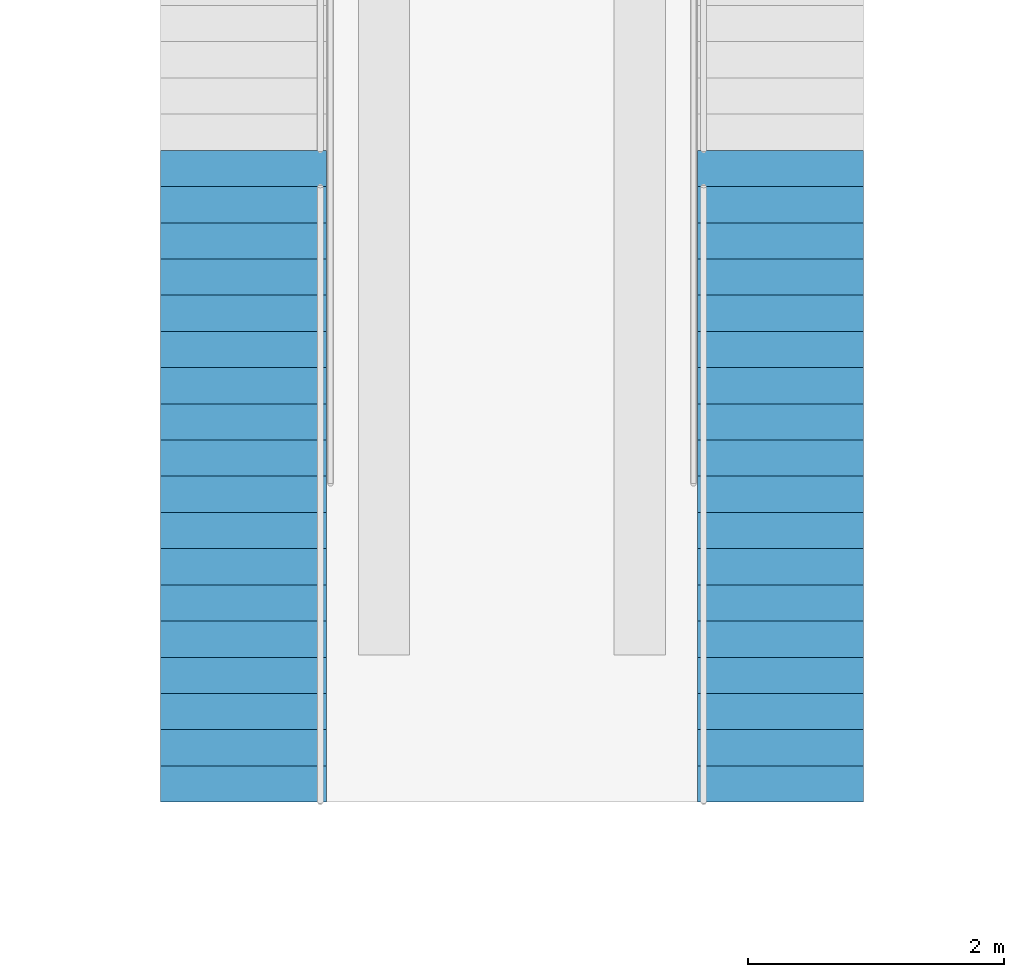
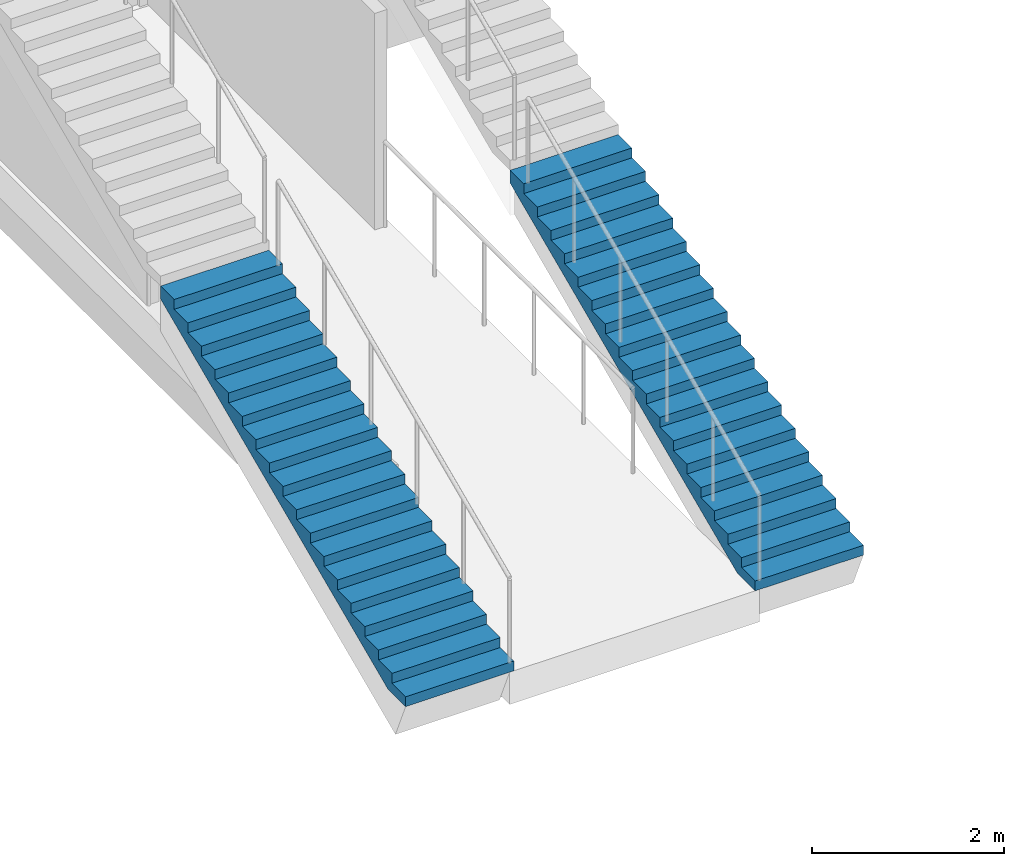
# One storey, part 122 of 175: 2 stair flights, 2 elements without a shape of their own.
"""IFC4 building model written with IfcOpenShell, lengths in metres."""

from ifc_helpers import new_model, si_unit, direction, frame, origin, place, context, subcontext, project, spatial, faceted_brep, material, type_object, element, aggregate, save


model = new_model("IFC4")

# Units and contexts
model_context = context("Model", 3, precision=1e-05, world=origin(), true_north=direction((0.0, 1.0)))
body_context = subcontext(model_context, "Body", "Model", "MODEL_VIEW")
ifc_project = project(units=[si_unit("LENGTHUNIT", "METRE"), si_unit("AREAUNIT", "SQUARE_METRE"), si_unit("VOLUMEUNIT", "CUBIC_METRE"), si_unit("PLANEANGLEUNIT", "RADIAN"), si_unit("MASSUNIT", "GRAM", prefix="KILO")], contexts=[model_context])

# Site, building, storey
site_placement = place(None, origin())
site = spatial("IfcSite", under=ifc_project, at=site_placement, CompositionType="ELEMENT")
building_placement = place(site_placement, origin())
building = spatial("IfcBuilding", under=site, at=building_placement, Name="Ogive Plaza Stadium", CompositionType="ELEMENT")
storey_placement = place(building_placement, origin())
storey = spatial("IfcBuildingStorey", under=building, at=storey_placement, Name="L00", CompositionType="ELEMENT", Elevation=0.0)

# Stair, stair flight
ifc_material_1 = material(Name="Concrete C40/50", Category="concrete")
stair_type = type_object("IfcStairType", Name="Aisle stair", PredefinedType="STRAIGHT_RUN_STAIR", material=ifc_material_1)
stair_1_placement = place(storey_placement, origin())
stair_1 = element("IfcStair", 1, at=stair_1_placement, inside=storey, type_object=stair_type, Name="Aisle stair SA33L", PredefinedType="STRAIGHT_RUN_STAIR")
ifc_material_2 = material(Name="Concrete C40/50", Category="concrete")
stair_flight_type = type_object("IfcStairFlightType", Name="Aisle stair flight", PredefinedType="STRAIGHT", material=ifc_material_2)
stair_flight_1_placement = place(storey_placement, frame((-11.5, 67.64990234375, 0.0), z_axis=(0.0, 0.0, 1.0), x_axis=(0.0, 1.0, 0.0)))
stair_flight_1 = element("IfcStairFlight", 2, at=stair_flight_1_placement, type_object=stair_flight_type, Name="SA33L flight 1", NumberOfRisers=18, NumberOfTreads=17, PredefinedType="STRAIGHT", RiserHeight=0.125, TreadLength=0.283333333, context=body_context, shape_type="Brep", body=[
    faceted_brep([(0.371337890625, -0.64990234375, 0.0), (5.10009765625, -0.64990234375, 2.086181640625), (5.10009765625, -0.64990234375, 2.25), (4.816650390625, -0.64990234375, 2.25), (4.816650390625, -0.64990234375, 2.125), (4.533447265625, -0.64990234375, 2.125), (4.533447265625, -0.64990234375, 2.0), (4.25, -0.64990234375, 2.0), (4.25, -0.64990234375, 1.875), (3.966552734375, -0.64990234375, 1.875), (3.966552734375, -0.64990234375, 1.75), (3.683349609375, -0.64990234375, 1.75), (3.683349609375, -0.64990234375, 1.625), (3.39990234375, -0.64990234375, 1.625), (3.39990234375, -0.64990234375, 1.5), (3.11669921875, -0.64990234375, 1.5), (3.11669921875, -0.64990234375, 1.375), (2.833251953125, -0.64990234375, 1.375), (2.833251953125, -0.64990234375, 1.25), (2.550048828125, -0.64990234375, 1.25), (2.550048828125, -0.64990234375, 1.125), (2.2666015625, -0.64990234375, 1.125), (2.2666015625, -0.64990234375, 1.0), (1.9833984375, -0.64990234375, 1.0), (1.9833984375, -0.64990234375, 0.875), (1.699951171875, -0.64990234375, 0.875), (1.699951171875, -0.64990234375, 0.75), (1.416748046875, -0.64990234375, 0.75), (1.416748046875, -0.64990234375, 0.625), (1.13330078125, -0.64990234375, 0.625), (1.13330078125, -0.64990234375, 0.5), (0.85009765625, -0.64990234375, 0.5), (0.85009765625, -0.64990234375, 0.375), (0.566650390625, -0.64990234375, 0.375), (0.566650390625, -0.64990234375, 0.25), (0.283447265625, -0.64990234375, 0.25), (0.283447265625, -0.64990234375, 0.125), (0.0, -0.64990234375, 0.125), (0.0, -0.64990234375, 0.0), (0.0, 0.64990234375, 0.0), (0.0, 0.64990234375, 0.125), (0.283447265625, 0.64990234375, 0.125), (0.283447265625, 0.64990234375, 0.25), (0.566650390625, 0.64990234375, 0.25), (0.566650390625, 0.64990234375, 0.375), (0.85009765625, 0.64990234375, 0.375), (0.85009765625, 0.64990234375, 0.5), (1.13330078125, 0.64990234375, 0.5), (1.13330078125, 0.64990234375, 0.625), (1.416748046875, 0.64990234375, 0.625), (1.416748046875, 0.64990234375, 0.75), (1.699951171875, 0.64990234375, 0.75), (1.699951171875, 0.64990234375, 0.875), (1.9833984375, 0.64990234375, 0.875), (1.9833984375, 0.64990234375, 1.0), (2.2666015625, 0.64990234375, 1.0), (2.2666015625, 0.64990234375, 1.125), (2.550048828125, 0.64990234375, 1.125), (2.550048828125, 0.64990234375, 1.25), (2.833251953125, 0.64990234375, 1.25), (2.833251953125, 0.64990234375, 1.375), (3.11669921875, 0.64990234375, 1.375), (3.11669921875, 0.64990234375, 1.5), (3.39990234375, 0.64990234375, 1.5), (3.39990234375, 0.64990234375, 1.625), (3.683349609375, 0.64990234375, 1.625), (3.683349609375, 0.64990234375, 1.75), (3.966552734375, 0.64990234375, 1.75), (3.966552734375, 0.64990234375, 1.875), (4.25, 0.64990234375, 1.875), (4.25, 0.64990234375, 2.0), (4.533447265625, 0.64990234375, 2.0), (4.533447265625, 0.64990234375, 2.125), (4.816650390625, 0.64990234375, 2.125), (4.816650390625, 0.64990234375, 2.25), (5.10009765625, 0.64990234375, 2.25), (5.10009765625, 0.64990234375, 2.086181640625), (0.371337890625, 0.64990234375, 0.0), (0.371337890625, -0.324951171875, 0.0), (5.10009765625, -0.324951171875, 2.086181640625), (0.371337890625, 0.0, 0.0), (5.10009765625, 0.0, 2.086181640625), (0.371337890625, 0.324951171875, 0.0), (5.10009765625, 0.324951171875, 2.086181640625), (5.10009765625, -0.324951171875, 2.25), (5.10009765625, 0.0, 2.25), (5.10009765625, 0.324951171875, 2.25), (4.816650390625, -0.324951171875, 2.25), (4.816650390625, 0.0, 2.25), (4.816650390625, 0.324951171875, 2.25), (4.816650390625, -0.324951171875, 2.125), (4.816650390625, 0.0, 2.125), (4.816650390625, 0.324951171875, 2.125), (4.533447265625, -0.324951171875, 2.125), (4.533447265625, 0.0, 2.125), (4.533447265625, 0.324951171875, 2.125), (4.533447265625, -0.324951171875, 2.0), (4.533447265625, 0.0, 2.0), (4.533447265625, 0.324951171875, 2.0), (4.25, -0.324951171875, 2.0), (4.25, 0.0, 2.0), (4.25, 0.324951171875, 2.0), (4.25, -0.324951171875, 1.875), (4.25, 0.0, 1.875), (4.25, 0.324951171875, 1.875), (3.966552734375, -0.324951171875, 1.875), (3.966552734375, 0.0, 1.875), (3.966552734375, 0.324951171875, 1.875), (3.966552734375, -0.324951171875, 1.75), (3.966552734375, 0.0, 1.75), (3.966552734375, 0.324951171875, 1.75), (3.683349609375, -0.324951171875, 1.75), (3.683349609375, 0.0, 1.75), (3.683349609375, 0.324951171875, 1.75), (3.683349609375, -0.324951171875, 1.625), (3.683349609375, 0.0, 1.625), (3.683349609375, 0.324951171875, 1.625), (3.39990234375, -0.324951171875, 1.625), (3.39990234375, 0.0, 1.625), (3.39990234375, 0.324951171875, 1.625), (3.39990234375, -0.324951171875, 1.5), (3.39990234375, 0.0, 1.5), (3.39990234375, 0.324951171875, 1.5), (3.11669921875, -0.324951171875, 1.5), (3.11669921875, 0.0, 1.5), (3.11669921875, 0.324951171875, 1.5), (3.11669921875, -0.324951171875, 1.375), (3.11669921875, 0.0, 1.375), (3.11669921875, 0.324951171875, 1.375), (2.833251953125, -0.324951171875, 1.375), (2.833251953125, 0.0, 1.375), (2.833251953125, 0.324951171875, 1.375), (2.833251953125, -0.324951171875, 1.25), (2.833251953125, 0.0, 1.25), (2.833251953125, 0.324951171875, 1.25), (2.550048828125, -0.324951171875, 1.25), (2.550048828125, 0.0, 1.25), (2.550048828125, 0.324951171875, 1.25), (2.550048828125, -0.324951171875, 1.125), (2.550048828125, 0.0, 1.125), (2.550048828125, 0.324951171875, 1.125), (2.2666015625, -0.324951171875, 1.125), (2.2666015625, 0.0, 1.125), (2.2666015625, 0.324951171875, 1.125), (2.2666015625, -0.324951171875, 1.0), (2.2666015625, 0.0, 1.0), (2.2666015625, 0.324951171875, 1.0), (1.9833984375, -0.324951171875, 1.0), (1.9833984375, 0.0, 1.0), (1.9833984375, 0.324951171875, 1.0), (1.9833984375, -0.324951171875, 0.875), (1.9833984375, 0.0, 0.875), (1.9833984375, 0.324951171875, 0.875), (1.699951171875, -0.324951171875, 0.875), (1.699951171875, 0.0, 0.875), (1.699951171875, 0.324951171875, 0.875), (1.699951171875, -0.324951171875, 0.75), (1.699951171875, 0.0, 0.75), (1.699951171875, 0.324951171875, 0.75), (1.416748046875, -0.324951171875, 0.75), (1.416748046875, 0.0, 0.75), (1.416748046875, 0.324951171875, 0.75), (1.416748046875, -0.324951171875, 0.625), (1.416748046875, 0.0, 0.625), (1.416748046875, 0.324951171875, 0.625), (1.13330078125, -0.324951171875, 0.625), (1.13330078125, 0.0, 0.625), (1.13330078125, 0.324951171875, 0.625), (1.13330078125, -0.324951171875, 0.5), (1.13330078125, 0.0, 0.5), (1.13330078125, 0.324951171875, 0.5), (0.85009765625, -0.324951171875, 0.5), (0.85009765625, 0.0, 0.5), (0.85009765625, 0.324951171875, 0.5), (0.85009765625, -0.324951171875, 0.375), (0.85009765625, 0.0, 0.375), (0.85009765625, 0.324951171875, 0.375), (0.566650390625, -0.324951171875, 0.375), (0.566650390625, 0.0, 0.375), (0.566650390625, 0.324951171875, 0.375), (0.566650390625, -0.324951171875, 0.25), (0.566650390625, 0.0, 0.25), (0.566650390625, 0.324951171875, 0.25), (0.283447265625, -0.324951171875, 0.25), (0.283447265625, 0.0, 0.25), (0.283447265625, 0.324951171875, 0.25), (0.283447265625, -0.324951171875, 0.125), (0.283447265625, 0.0, 0.125), (0.283447265625, 0.324951171875, 0.125), (0.0, -0.324951171875, 0.125), (0.0, 0.0, 0.125), (0.0, 0.324951171875, 0.125), (0.0, -0.324951171875, 0.0), (0.0, 0.0, 0.0), (0.0, 0.324951171875, 0.0)], [[[0, 1, 2, 3, 4, 5, 6, 7, 8, 9, 10, 11, 12, 13, 14, 15, 16, 17, 18, 19, 20, 21, 22, 23, 24, 25, 26, 27, 28, 29, 30, 31, 32, 33, 34, 35, 36, 37, 38]], [[39, 40, 41, 42, 43, 44, 45, 46, 47, 48, 49, 50, 51, 52, 53, 54, 55, 56, 57, 58, 59, 60, 61, 62, 63, 64, 65, 66, 67, 68, 69, 70, 71, 72, 73, 74, 75, 76, 77]], [[0, 78, 79, 1]], [[78, 80, 81, 79]], [[80, 82, 83, 81]], [[82, 77, 76, 83]], [[1, 79, 84, 2]], [[79, 81, 85, 84]], [[81, 83, 86, 85]], [[83, 76, 75, 86]], [[2, 84, 87, 3]], [[84, 85, 88, 87]], [[85, 86, 89, 88]], [[86, 75, 74, 89]], [[3, 87, 90, 4]], [[87, 88, 91, 90]], [[88, 89, 92, 91]], [[89, 74, 73, 92]], [[4, 90, 93, 5]], [[90, 91, 94, 93]], [[91, 92, 95, 94]], [[92, 73, 72, 95]], [[5, 93, 96, 6]], [[93, 94, 97, 96]], [[94, 95, 98, 97]], [[95, 72, 71, 98]], [[6, 96, 99, 7]], [[96, 97, 100, 99]], [[97, 98, 101, 100]], [[98, 71, 70, 101]], [[7, 99, 102, 8]], [[99, 100, 103, 102]], [[100, 101, 104, 103]], [[101, 70, 69, 104]], [[8, 102, 105, 9]], [[102, 103, 106, 105]], [[103, 104, 107, 106]], [[104, 69, 68, 107]], [[9, 105, 108, 10]], [[105, 106, 109, 108]], [[106, 107, 110, 109]], [[107, 68, 67, 110]], [[10, 108, 111, 11]], [[108, 109, 112, 111]], [[109, 110, 113, 112]], [[110, 67, 66, 113]], [[11, 111, 114, 12]], [[111, 112, 115, 114]], [[112, 113, 116, 115]], [[113, 66, 65, 116]], [[12, 114, 117, 13]], [[114, 115, 118, 117]], [[115, 116, 119, 118]], [[116, 65, 64, 119]], [[13, 117, 120, 14]], [[117, 118, 121, 120]], [[118, 119, 122, 121]], [[119, 64, 63, 122]], [[14, 120, 123, 15]], [[120, 121, 124, 123]], [[121, 122, 125, 124]], [[122, 63, 62, 125]], [[15, 123, 126, 16]], [[123, 124, 127, 126]], [[124, 125, 128, 127]], [[125, 62, 61, 128]], [[16, 126, 129, 17]], [[126, 127, 130, 129]], [[127, 128, 131, 130]], [[128, 61, 60, 131]], [[17, 129, 132, 18]], [[129, 130, 133, 132]], [[130, 131, 134, 133]], [[131, 60, 59, 134]], [[18, 132, 135, 19]], [[132, 133, 136, 135]], [[133, 134, 137, 136]], [[134, 59, 58, 137]], [[19, 135, 138, 20]], [[135, 136, 139, 138]], [[136, 137, 140, 139]], [[137, 58, 57, 140]], [[20, 138, 141, 21]], [[138, 139, 142, 141]], [[139, 140, 143, 142]], [[140, 57, 56, 143]], [[21, 141, 144, 22]], [[141, 142, 145, 144]], [[142, 143, 146, 145]], [[143, 56, 55, 146]], [[22, 144, 147, 23]], [[144, 145, 148, 147]], [[145, 146, 149, 148]], [[146, 55, 54, 149]], [[23, 147, 150, 24]], [[147, 148, 151, 150]], [[148, 149, 152, 151]], [[149, 54, 53, 152]], [[24, 150, 153, 25]], [[150, 151, 154, 153]], [[151, 152, 155, 154]], [[152, 53, 52, 155]], [[25, 153, 156, 26]], [[153, 154, 157, 156]], [[154, 155, 158, 157]], [[155, 52, 51, 158]], [[26, 156, 159, 27]], [[156, 157, 160, 159]], [[157, 158, 161, 160]], [[158, 51, 50, 161]], [[27, 159, 162, 28]], [[159, 160, 163, 162]], [[160, 161, 164, 163]], [[161, 50, 49, 164]], [[28, 162, 165, 29]], [[162, 163, 166, 165]], [[163, 164, 167, 166]], [[164, 49, 48, 167]], [[29, 165, 168, 30]], [[165, 166, 169, 168]], [[166, 167, 170, 169]], [[167, 48, 47, 170]], [[30, 168, 171, 31]], [[168, 169, 172, 171]], [[169, 170, 173, 172]], [[170, 47, 46, 173]], [[31, 171, 174, 32]], [[171, 172, 175, 174]], [[172, 173, 176, 175]], [[173, 46, 45, 176]], [[32, 174, 177, 33]], [[174, 175, 178, 177]], [[175, 176, 179, 178]], [[176, 45, 44, 179]], [[33, 177, 180, 34]], [[177, 178, 181, 180]], [[178, 179, 182, 181]], [[179, 44, 43, 182]], [[34, 180, 183, 35]], [[180, 181, 184, 183]], [[181, 182, 185, 184]], [[182, 43, 42, 185]], [[35, 183, 186, 36]], [[183, 184, 187, 186]], [[184, 185, 188, 187]], [[185, 42, 41, 188]], [[36, 186, 189, 37]], [[186, 187, 190, 189]], [[187, 188, 191, 190]], [[188, 41, 40, 191]], [[37, 189, 192, 38]], [[189, 190, 193, 192]], [[190, 191, 194, 193]], [[191, 40, 39, 194]], [[38, 192, 78, 0]], [[192, 193, 80, 78]], [[193, 194, 82, 80]], [[194, 39, 77, 82]]]),
])
aggregate(stair_1, [stair_flight_1])

stair_2_placement = place(storey_placement, origin())
stair_2 = element("IfcStair", 3, at=stair_2_placement, inside=storey, type_object=stair_type, Name="Aisle stair SA33R", PredefinedType="STRAIGHT_RUN_STAIR")
stair_flight_2_placement = place(storey_placement, frame((-15.699951171875, 67.64990234375, 0.0), z_axis=(0.0, 0.0, 1.0), x_axis=(0.0, 1.0, 0.0)))
stair_flight_2 = element("IfcStairFlight", 4, at=stair_flight_2_placement, type_object=stair_flight_type, Name="SA33R flight 1", NumberOfRisers=18, NumberOfTreads=17, PredefinedType="STRAIGHT", RiserHeight=0.125, TreadLength=0.283333333, context=body_context, shape_type="Brep", body=[
    faceted_brep([(0.371337890625, -0.64990234375, 0.0), (5.10009765625, -0.64990234375, 2.086181640625), (5.10009765625, -0.64990234375, 2.25), (4.816650390625, -0.64990234375, 2.25), (4.816650390625, -0.64990234375, 2.125), (4.533447265625, -0.64990234375, 2.125), (4.533447265625, -0.64990234375, 2.0), (4.25, -0.64990234375, 2.0), (4.25, -0.64990234375, 1.875), (3.966552734375, -0.64990234375, 1.875), (3.966552734375, -0.64990234375, 1.75), (3.683349609375, -0.64990234375, 1.75), (3.683349609375, -0.64990234375, 1.625), (3.39990234375, -0.64990234375, 1.625), (3.39990234375, -0.64990234375, 1.5), (3.11669921875, -0.64990234375, 1.5), (3.11669921875, -0.64990234375, 1.375), (2.833251953125, -0.64990234375, 1.375), (2.833251953125, -0.64990234375, 1.25), (2.550048828125, -0.64990234375, 1.25), (2.550048828125, -0.64990234375, 1.125), (2.2666015625, -0.64990234375, 1.125), (2.2666015625, -0.64990234375, 1.0), (1.9833984375, -0.64990234375, 1.0), (1.9833984375, -0.64990234375, 0.875), (1.699951171875, -0.64990234375, 0.875), (1.699951171875, -0.64990234375, 0.75), (1.416748046875, -0.64990234375, 0.75), (1.416748046875, -0.64990234375, 0.625), (1.13330078125, -0.64990234375, 0.625), (1.13330078125, -0.64990234375, 0.5), (0.85009765625, -0.64990234375, 0.5), (0.85009765625, -0.64990234375, 0.375), (0.566650390625, -0.64990234375, 0.375), (0.566650390625, -0.64990234375, 0.25), (0.283447265625, -0.64990234375, 0.25), (0.283447265625, -0.64990234375, 0.125), (0.0, -0.64990234375, 0.125), (0.0, -0.64990234375, 0.0), (0.0, 0.64990234375, 0.0), (0.0, 0.64990234375, 0.125), (0.283447265625, 0.64990234375, 0.125), (0.283447265625, 0.64990234375, 0.25), (0.566650390625, 0.64990234375, 0.25), (0.566650390625, 0.64990234375, 0.375), (0.85009765625, 0.64990234375, 0.375), (0.85009765625, 0.64990234375, 0.5), (1.13330078125, 0.64990234375, 0.5), (1.13330078125, 0.64990234375, 0.625), (1.416748046875, 0.64990234375, 0.625), (1.416748046875, 0.64990234375, 0.75), (1.699951171875, 0.64990234375, 0.75), (1.699951171875, 0.64990234375, 0.875), (1.9833984375, 0.64990234375, 0.875), (1.9833984375, 0.64990234375, 1.0), (2.2666015625, 0.64990234375, 1.0), (2.2666015625, 0.64990234375, 1.125), (2.550048828125, 0.64990234375, 1.125), (2.550048828125, 0.64990234375, 1.25), (2.833251953125, 0.64990234375, 1.25), (2.833251953125, 0.64990234375, 1.375), (3.11669921875, 0.64990234375, 1.375), (3.11669921875, 0.64990234375, 1.5), (3.39990234375, 0.64990234375, 1.5), (3.39990234375, 0.64990234375, 1.625), (3.683349609375, 0.64990234375, 1.625), (3.683349609375, 0.64990234375, 1.75), (3.966552734375, 0.64990234375, 1.75), (3.966552734375, 0.64990234375, 1.875), (4.25, 0.64990234375, 1.875), (4.25, 0.64990234375, 2.0), (4.533447265625, 0.64990234375, 2.0), (4.533447265625, 0.64990234375, 2.125), (4.816650390625, 0.64990234375, 2.125), (4.816650390625, 0.64990234375, 2.25), (5.10009765625, 0.64990234375, 2.25), (5.10009765625, 0.64990234375, 2.086181640625), (0.371337890625, 0.64990234375, 0.0), (0.371337890625, -0.324951171875, 0.0), (5.10009765625, -0.324951171875, 2.086181640625), (0.371337890625, 0.0, 0.0), (5.10009765625, 0.0, 2.086181640625), (0.371337890625, 0.324951171875, 0.0), (5.10009765625, 0.324951171875, 2.086181640625), (5.10009765625, -0.324951171875, 2.25), (5.10009765625, 0.0, 2.25), (5.10009765625, 0.324951171875, 2.25), (4.816650390625, -0.324951171875, 2.25), (4.816650390625, 0.0, 2.25), (4.816650390625, 0.324951171875, 2.25), (4.816650390625, -0.324951171875, 2.125), (4.816650390625, 0.0, 2.125), (4.816650390625, 0.324951171875, 2.125), (4.533447265625, -0.324951171875, 2.125), (4.533447265625, 0.0, 2.125), (4.533447265625, 0.324951171875, 2.125), (4.533447265625, -0.324951171875, 2.0), (4.533447265625, 0.0, 2.0), (4.533447265625, 0.324951171875, 2.0), (4.25, -0.324951171875, 2.0), (4.25, 0.0, 2.0), (4.25, 0.324951171875, 2.0), (4.25, -0.324951171875, 1.875), (4.25, 0.0, 1.875), (4.25, 0.324951171875, 1.875), (3.966552734375, -0.324951171875, 1.875), (3.966552734375, 0.0, 1.875), (3.966552734375, 0.324951171875, 1.875), (3.966552734375, -0.324951171875, 1.75), (3.966552734375, 0.0, 1.75), (3.966552734375, 0.324951171875, 1.75), (3.683349609375, -0.324951171875, 1.75), (3.683349609375, 0.0, 1.75), (3.683349609375, 0.324951171875, 1.75), (3.683349609375, -0.324951171875, 1.625), (3.683349609375, 0.0, 1.625), (3.683349609375, 0.324951171875, 1.625), (3.39990234375, -0.324951171875, 1.625), (3.39990234375, 0.0, 1.625), (3.39990234375, 0.324951171875, 1.625), (3.39990234375, -0.324951171875, 1.5), (3.39990234375, 0.0, 1.5), (3.39990234375, 0.324951171875, 1.5), (3.11669921875, -0.324951171875, 1.5), (3.11669921875, 0.0, 1.5), (3.11669921875, 0.324951171875, 1.5), (3.11669921875, -0.324951171875, 1.375), (3.11669921875, 0.0, 1.375), (3.11669921875, 0.324951171875, 1.375), (2.833251953125, -0.324951171875, 1.375), (2.833251953125, 0.0, 1.375), (2.833251953125, 0.324951171875, 1.375), (2.833251953125, -0.324951171875, 1.25), (2.833251953125, 0.0, 1.25), (2.833251953125, 0.324951171875, 1.25), (2.550048828125, -0.324951171875, 1.25), (2.550048828125, 0.0, 1.25), (2.550048828125, 0.324951171875, 1.25), (2.550048828125, -0.324951171875, 1.125), (2.550048828125, 0.0, 1.125), (2.550048828125, 0.324951171875, 1.125), (2.2666015625, -0.324951171875, 1.125), (2.2666015625, 0.0, 1.125), (2.2666015625, 0.324951171875, 1.125), (2.2666015625, -0.324951171875, 1.0), (2.2666015625, 0.0, 1.0), (2.2666015625, 0.324951171875, 1.0), (1.9833984375, -0.324951171875, 1.0), (1.9833984375, 0.0, 1.0), (1.9833984375, 0.324951171875, 1.0), (1.9833984375, -0.324951171875, 0.875), (1.9833984375, 0.0, 0.875), (1.9833984375, 0.324951171875, 0.875), (1.699951171875, -0.324951171875, 0.875), (1.699951171875, 0.0, 0.875), (1.699951171875, 0.324951171875, 0.875), (1.699951171875, -0.324951171875, 0.75), (1.699951171875, 0.0, 0.75), (1.699951171875, 0.324951171875, 0.75), (1.416748046875, -0.324951171875, 0.75), (1.416748046875, 0.0, 0.75), (1.416748046875, 0.324951171875, 0.75), (1.416748046875, -0.324951171875, 0.625), (1.416748046875, 0.0, 0.625), (1.416748046875, 0.324951171875, 0.625), (1.13330078125, -0.324951171875, 0.625), (1.13330078125, 0.0, 0.625), (1.13330078125, 0.324951171875, 0.625), (1.13330078125, -0.324951171875, 0.5), (1.13330078125, 0.0, 0.5), (1.13330078125, 0.324951171875, 0.5), (0.85009765625, -0.324951171875, 0.5), (0.85009765625, 0.0, 0.5), (0.85009765625, 0.324951171875, 0.5), (0.85009765625, -0.324951171875, 0.375), (0.85009765625, 0.0, 0.375), (0.85009765625, 0.324951171875, 0.375), (0.566650390625, -0.324951171875, 0.375), (0.566650390625, 0.0, 0.375), (0.566650390625, 0.324951171875, 0.375), (0.566650390625, -0.324951171875, 0.25), (0.566650390625, 0.0, 0.25), (0.566650390625, 0.324951171875, 0.25), (0.283447265625, -0.324951171875, 0.25), (0.283447265625, 0.0, 0.25), (0.283447265625, 0.324951171875, 0.25), (0.283447265625, -0.324951171875, 0.125), (0.283447265625, 0.0, 0.125), (0.283447265625, 0.324951171875, 0.125), (0.0, -0.324951171875, 0.125), (0.0, 0.0, 0.125), (0.0, 0.324951171875, 0.125), (0.0, -0.324951171875, 0.0), (0.0, 0.0, 0.0), (0.0, 0.324951171875, 0.0)], [[[0, 1, 2, 3, 4, 5, 6, 7, 8, 9, 10, 11, 12, 13, 14, 15, 16, 17, 18, 19, 20, 21, 22, 23, 24, 25, 26, 27, 28, 29, 30, 31, 32, 33, 34, 35, 36, 37, 38]], [[39, 40, 41, 42, 43, 44, 45, 46, 47, 48, 49, 50, 51, 52, 53, 54, 55, 56, 57, 58, 59, 60, 61, 62, 63, 64, 65, 66, 67, 68, 69, 70, 71, 72, 73, 74, 75, 76, 77]], [[0, 78, 79, 1]], [[78, 80, 81, 79]], [[80, 82, 83, 81]], [[82, 77, 76, 83]], [[1, 79, 84, 2]], [[79, 81, 85, 84]], [[81, 83, 86, 85]], [[83, 76, 75, 86]], [[2, 84, 87, 3]], [[84, 85, 88, 87]], [[85, 86, 89, 88]], [[86, 75, 74, 89]], [[3, 87, 90, 4]], [[87, 88, 91, 90]], [[88, 89, 92, 91]], [[89, 74, 73, 92]], [[4, 90, 93, 5]], [[90, 91, 94, 93]], [[91, 92, 95, 94]], [[92, 73, 72, 95]], [[5, 93, 96, 6]], [[93, 94, 97, 96]], [[94, 95, 98, 97]], [[95, 72, 71, 98]], [[6, 96, 99, 7]], [[96, 97, 100, 99]], [[97, 98, 101, 100]], [[98, 71, 70, 101]], [[7, 99, 102, 8]], [[99, 100, 103, 102]], [[100, 101, 104, 103]], [[101, 70, 69, 104]], [[8, 102, 105, 9]], [[102, 103, 106, 105]], [[103, 104, 107, 106]], [[104, 69, 68, 107]], [[9, 105, 108, 10]], [[105, 106, 109, 108]], [[106, 107, 110, 109]], [[107, 68, 67, 110]], [[10, 108, 111, 11]], [[108, 109, 112, 111]], [[109, 110, 113, 112]], [[110, 67, 66, 113]], [[11, 111, 114, 12]], [[111, 112, 115, 114]], [[112, 113, 116, 115]], [[113, 66, 65, 116]], [[12, 114, 117, 13]], [[114, 115, 118, 117]], [[115, 116, 119, 118]], [[116, 65, 64, 119]], [[13, 117, 120, 14]], [[117, 118, 121, 120]], [[118, 119, 122, 121]], [[119, 64, 63, 122]], [[14, 120, 123, 15]], [[120, 121, 124, 123]], [[121, 122, 125, 124]], [[122, 63, 62, 125]], [[15, 123, 126, 16]], [[123, 124, 127, 126]], [[124, 125, 128, 127]], [[125, 62, 61, 128]], [[16, 126, 129, 17]], [[126, 127, 130, 129]], [[127, 128, 131, 130]], [[128, 61, 60, 131]], [[17, 129, 132, 18]], [[129, 130, 133, 132]], [[130, 131, 134, 133]], [[131, 60, 59, 134]], [[18, 132, 135, 19]], [[132, 133, 136, 135]], [[133, 134, 137, 136]], [[134, 59, 58, 137]], [[19, 135, 138, 20]], [[135, 136, 139, 138]], [[136, 137, 140, 139]], [[137, 58, 57, 140]], [[20, 138, 141, 21]], [[138, 139, 142, 141]], [[139, 140, 143, 142]], [[140, 57, 56, 143]], [[21, 141, 144, 22]], [[141, 142, 145, 144]], [[142, 143, 146, 145]], [[143, 56, 55, 146]], [[22, 144, 147, 23]], [[144, 145, 148, 147]], [[145, 146, 149, 148]], [[146, 55, 54, 149]], [[23, 147, 150, 24]], [[147, 148, 151, 150]], [[148, 149, 152, 151]], [[149, 54, 53, 152]], [[24, 150, 153, 25]], [[150, 151, 154, 153]], [[151, 152, 155, 154]], [[152, 53, 52, 155]], [[25, 153, 156, 26]], [[153, 154, 157, 156]], [[154, 155, 158, 157]], [[155, 52, 51, 158]], [[26, 156, 159, 27]], [[156, 157, 160, 159]], [[157, 158, 161, 160]], [[158, 51, 50, 161]], [[27, 159, 162, 28]], [[159, 160, 163, 162]], [[160, 161, 164, 163]], [[161, 50, 49, 164]], [[28, 162, 165, 29]], [[162, 163, 166, 165]], [[163, 164, 167, 166]], [[164, 49, 48, 167]], [[29, 165, 168, 30]], [[165, 166, 169, 168]], [[166, 167, 170, 169]], [[167, 48, 47, 170]], [[30, 168, 171, 31]], [[168, 169, 172, 171]], [[169, 170, 173, 172]], [[170, 47, 46, 173]], [[31, 171, 174, 32]], [[171, 172, 175, 174]], [[172, 173, 176, 175]], [[173, 46, 45, 176]], [[32, 174, 177, 33]], [[174, 175, 178, 177]], [[175, 176, 179, 178]], [[176, 45, 44, 179]], [[33, 177, 180, 34]], [[177, 178, 181, 180]], [[178, 179, 182, 181]], [[179, 44, 43, 182]], [[34, 180, 183, 35]], [[180, 181, 184, 183]], [[181, 182, 185, 184]], [[182, 43, 42, 185]], [[35, 183, 186, 36]], [[183, 184, 187, 186]], [[184, 185, 188, 187]], [[185, 42, 41, 188]], [[36, 186, 189, 37]], [[186, 187, 190, 189]], [[187, 188, 191, 190]], [[188, 41, 40, 191]], [[37, 189, 192, 38]], [[189, 190, 193, 192]], [[190, 191, 194, 193]], [[191, 40, 39, 194]], [[38, 192, 78, 0]], [[192, 193, 80, 78]], [[193, 194, 82, 80]], [[194, 39, 77, 82]]]),
])
aggregate(stair_2, [stair_flight_2])

save(model, "model.ifc")
